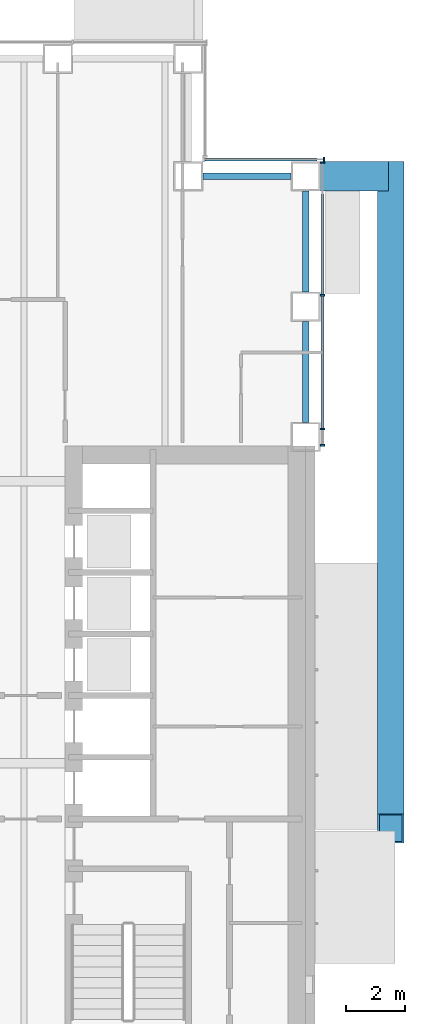
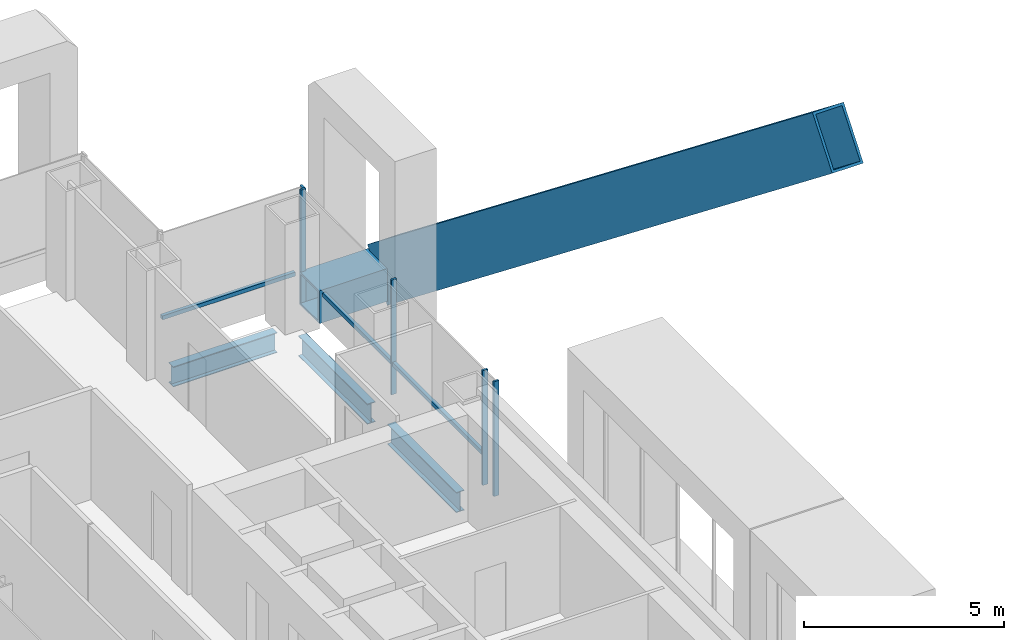
# One storey, part 9 of 26: 9 members, 4 beams, 2 elements without a shape of their own.
"""IFC4 building model written with IfcOpenShell, lengths in metres."""

from ifc_helpers import new_model, si_unit, direction, frame, origin, origin_2d, place, context, subcontext, project, spatial, rectangle, hollow_rectangle, i_section, extrude, material, material_profile, profile_set, type_object, element, aggregate, save


model = new_model("IFC4")

# Units and contexts
model_context = context("Model", 3, precision=1e-05, world=origin(), true_north=direction((0.0, 1.0)))
body_context = subcontext(model_context, "Body", "Model", "MODEL_VIEW")
ifc_project = project(units=[si_unit("LENGTHUNIT", "METRE"), si_unit("AREAUNIT", "SQUARE_METRE"), si_unit("VOLUMEUNIT", "CUBIC_METRE"), si_unit("PLANEANGLEUNIT", "RADIAN"), si_unit("MASSUNIT", "GRAM", prefix="KILO")], contexts=[model_context])

# Site, building, storey
site_placement = place(None, origin())
site = spatial("IfcSite", under=ifc_project, at=site_placement, CompositionType="ELEMENT")
building_placement = place(site_placement, origin())
building = spatial("IfcBuilding", under=site, at=building_placement, Name="Cobrizo Arcos Hotel Tower", CompositionType="ELEMENT")
storey_placement = place(building_placement, frame((0.0, 0.0, 67.0)))
storey = spatial("IfcBuildingStorey", under=building, at=storey_placement, Name="L15", CompositionType="ELEMENT", Elevation=67.0)

# Beam
ifc_material_1 = material(Name="Steel ASTM A572 Grade 50", Category="steel")
ifc_material_profile_1 = material_profile(ifc_material_1, hollow_rectangle(XDim=1.0, YDim=1.0, WallThickness=0.06005859375, at=origin_2d()), Name="BOX 1000X1000X60")
ifc_profile_set_1 = profile_set([ifc_material_profile_1], Name="Steel ASTM A572 Grade 50")
beam_type_1 = type_object("IfcBeamType", Name="BOX 1000X1000X60 brace connector strut", PredefinedType="BEAM", material=ifc_profile_set_1)
beam_1_placement = place(storey_placement, frame((24.489990234375, 20.0, 0.5), z_axis=(1.0, 0.0, 0.0), x_axis=(0.0, 1.0, 0.0)))
element("IfcBeam", 1, at=beam_1_placement, inside=storey, type_object=beam_type_1, Name="Perimeter brace stub BS1, zone Z1, east face, offset +20.00 m, L15", PredefinedType="BEAM", context=body_context, shape_type="SweptSolid", body=[
    extrude(hollow_rectangle(XDim=1.0, YDim=1.0, WallThickness=0.06005859375, at=origin_2d()), origin(), (0.0, 0.0, 1.0), 2.330078125),
])

# Member
ifc_material_profile_2 = material_profile(ifc_material_1, hollow_rectangle(XDim=0.89990234375, YDim=1.60009765625, WallThickness=0.070068359375, at=origin_2d()), Name="BOX 900X1600X70")
ifc_profile_set_2 = profile_set([ifc_material_profile_2], Name="Steel ASTM A572 Grade 50")
member_type_1 = type_object("IfcMemberType", Name="BOX 900X1600X70 perimeter brace", PredefinedType="BRACE", material=ifc_profile_set_2)
member_1_placement = place(storey_placement, frame((26.89990234375, 20.0, 0.5), z_axis=(0.0, -0.785635580491, 0.618689530109), x_axis=(1.0, 0.0, 0.0)))
element("IfcMember", 2, at=member_1_placement, inside=storey, type_object=member_type_1, Name="Perimeter brace PBR1, zone Z1, east face, no. 04", PredefinedType="BRACE", context=body_context, shape_type="SweptSolid", body=[
    extrude(hollow_rectangle(XDim=0.89990234375, YDim=1.60009765625, WallThickness=0.070068359375, at=origin_2d()), origin(), (0.0, 0.0, 1.0), 28.28564453125),
])

# Curtain wall, members
ifc_material_2 = material(Name="Aluminium 6063-T6 anodised bronze", Category="aluminium")
curtain_wall_type = type_object("IfcCurtainWallType", Name="CW-A guest facade", PredefinedType="NOTDEFINED", material=ifc_material_2)
curtain_wall_1_placement = place(storey_placement, origin())
curtain_wall_1 = element("IfcCurtainWall", 3, at=curtain_wall_1_placement, inside=storey, type_object=curtain_wall_type, Name="CW-A L15 E face", PredefinedType="NOTDEFINED")
ifc_material_profile_3 = material_profile(ifc_material_2, rectangle(XDim=0.14990234375, YDim=0.06005859375, at=origin_2d()), Name="CW-A mullion 150x60")
ifc_profile_set_3 = profile_set([ifc_material_profile_3], Name="Aluminium 6063-T6 anodised bronze")
member_type_2 = type_object("IfcMemberType", Name="CW-A mullion 150x60", PredefinedType="MULLION", material=ifc_profile_set_3)
member_2_placement = place(storey_placement, frame((24.574951171875, 10.830078125, 0.0), z_axis=(0.0, 0.0, 1.0), x_axis=(1.0, 0.0, 0.0)))
member_2 = element("IfcMember", 4, at=member_2_placement, type_object=member_type_2, Name="CW-A mullion 1", PredefinedType="MULLION", context=body_context, shape_type="SweptSolid", body=[
    extrude(rectangle(XDim=0.14990234375, YDim=0.06005859375, at=origin_2d()), origin(), (0.0, 0.0, 1.0), 3.5),
])
member_3_placement = place(storey_placement, frame((24.574951171875, 11.388916015625, 0.0), z_axis=(0.0, 0.0, 1.0), x_axis=(1.0, 0.0, 0.0)))
member_3 = element("IfcMember", 5, at=member_3_placement, type_object=member_type_2, Name="CW-A mullion 2", PredefinedType="MULLION", context=body_context, shape_type="SweptSolid", body=[
    extrude(rectangle(XDim=0.14990234375, YDim=0.06005859375, at=origin_2d()), origin(), (0.0, 0.0, 1.0), 3.5),
])
member_4_placement = place(storey_placement, frame((24.574951171875, 15.9443359375, 0.0), z_axis=(0.0, 0.0, 1.0), x_axis=(1.0, 0.0, 0.0)))
member_4 = element("IfcMember", 6, at=member_4_placement, type_object=member_type_2, Name="CW-A mullion 3", PredefinedType="MULLION", context=body_context, shape_type="SweptSolid", body=[
    extrude(rectangle(XDim=0.14990234375, YDim=0.06005859375, at=origin_2d()), origin(), (0.0, 0.0, 1.0), 3.5),
])
member_5_placement = place(storey_placement, frame((24.574951171875, 20.469970703125, 0.0), z_axis=(0.0, 0.0, 1.0), x_axis=(1.0, 0.0, 0.0)))
member_5 = element("IfcMember", 7, at=member_5_placement, type_object=member_type_2, Name="CW-A mullion 4", PredefinedType="MULLION", context=body_context, shape_type="SweptSolid", body=[
    extrude(rectangle(XDim=0.14990234375, YDim=0.06005859375, at=origin_2d()), origin(), (0.0, 0.0, 1.0), 3.5),
])

# Curtain wall, member
curtain_wall_2_placement = place(storey_placement, origin())
curtain_wall_2 = element("IfcCurtainWall", 8, at=curtain_wall_2_placement, inside=storey, type_object=curtain_wall_type, Name="CW-A L15 N face", PredefinedType="NOTDEFINED")
member_6_placement = place(storey_placement, frame((24.6201171875, 20.574951171875, 0.0), z_axis=(0.0, 0.0, 1.0), x_axis=(0.0, 1.0, 0.0)))
member_6 = element("IfcMember", 9, at=member_6_placement, type_object=member_type_2, Name="CW-A mullion 1", PredefinedType="MULLION", context=body_context, shape_type="SweptSolid", body=[
    extrude(rectangle(XDim=0.14990234375, YDim=0.06005859375, at=origin_2d()), origin(), (0.0, 0.0, 1.0), 3.5),
])

# Member
ifc_material_profile_4 = material_profile(ifc_material_2, rectangle(XDim=0.10009765625, YDim=0.1201171875, at=origin_2d()), Name="CW-A transom 120x100")
ifc_profile_set_4 = profile_set([ifc_material_profile_4], Name="Aluminium 6063-T6 anodised bronze")
member_type_3 = type_object("IfcMemberType", Name="CW-A transom 120x100", PredefinedType="USERDEFINED", material=ifc_profile_set_4)
member_7_placement = place(storey_placement, frame((24.574951171875, 11.4189453125, 0.929931640625), z_axis=(0.0, 1.0, 0.0), x_axis=(-1.0, 0.0, 0.0)))
member_7 = element("IfcMember", 10, at=member_7_placement, type_object=member_type_3, Name="CW-A transom 665", ObjectType="TRANSOM", PredefinedType="USERDEFINED", context=body_context, shape_type="SweptSolid", body=[
    extrude(rectangle(XDim=0.10009765625, YDim=0.1201171875, at=origin_2d()), origin(), (0.0, 0.0, 1.0), 4.49560546875),
])

member_8_placement = place(storey_placement, frame((24.574951171875, 15.974365234375, 0.929931640625), z_axis=(0.0, 1.0, 0.0), x_axis=(-1.0, 0.0, 0.0)))
member_8 = element("IfcMember", 11, at=member_8_placement, type_object=member_type_3, Name="CW-A transom 666", ObjectType="TRANSOM", PredefinedType="USERDEFINED", context=body_context, shape_type="SweptSolid", body=[
    extrude(rectangle(XDim=0.10009765625, YDim=0.1201171875, at=origin_2d()), origin(), (0.0, 0.0, 1.0), 3.425537109375),
])

aggregate(curtain_wall_1, [member_2, member_3, member_4, member_5, member_7, member_8])

member_9_placement = place(storey_placement, frame((24.389892578125, 20.574951171875, 0.929931640625), z_axis=(-1.0, 0.0, 0.0), x_axis=(0.0, -1.0, 0.0)))
member_9 = element("IfcMember", 12, at=member_9_placement, type_object=member_type_3, Name="CW-A transom 667", ObjectType="TRANSOM", PredefinedType="USERDEFINED", context=body_context, shape_type="SweptSolid", body=[
    extrude(rectangle(XDim=0.10009765625, YDim=0.1201171875, at=origin_2d()), origin(), (0.0, 0.0, 1.0), 3.829833984375),
])

aggregate(curtain_wall_2, [member_6, member_9])

# Beams
ifc_material_3 = material(Name="Steel ASTM A992 Grade 50", Category="steel")
ifc_material_profile_5 = material_profile(ifc_material_3, i_section(OverallWidth=0.23046875, OverallDepth=0.6171875, WebThickness=0.01318359375, FlangeThickness=0.022216796875, at=origin_2d()), Name="W24X94")
ifc_profile_set_5 = profile_set([ifc_material_profile_5], Name="Steel ASTM A992 Grade 50")
beam_type_2 = type_object("IfcBeamType", Name="W24X94 spandrel", PredefinedType="SPANDREL", material=ifc_profile_set_5)
beam_2_placement = place(storey_placement, frame((20.5, 20.0, -0.45849609375), z_axis=(1.0, 0.0, 0.0), x_axis=(0.0, 1.0, 0.0)))
element("IfcBeam", 13, at=beam_2_placement, inside=storey, type_object=beam_type_2, Name="Spandrel beam W24X94, L15, no. 001", PredefinedType="SPANDREL", context=body_context, shape_type="SweptSolid", body=[
    extrude(i_section(OverallWidth=0.23046875, OverallDepth=0.6171875, WebThickness=0.01318359375, FlangeThickness=0.022216796875, at=origin_2d()), origin(), (0.0, 0.0, 1.0), 3.0),
])
beam_3_placement = place(storey_placement, frame((24.0, 19.5, -0.45849609375), z_axis=(0.0, -1.0, 0.0), x_axis=(1.0, 0.0, 0.0)))
element("IfcBeam", 14, at=beam_3_placement, inside=storey, type_object=beam_type_2, Name="Spandrel beam W24X94, L15, no. 002", PredefinedType="SPANDREL", context=body_context, shape_type="SweptSolid", body=[
    extrude(i_section(OverallWidth=0.23046875, OverallDepth=0.6171875, WebThickness=0.01318359375, FlangeThickness=0.022216796875, at=origin_2d()), origin(), (0.0, 0.0, 1.0), 3.444091796875),
])
beam_4_placement = place(storey_placement, frame((24.0, 15.055908203125, -0.45849609375), z_axis=(0.0, -1.0, 0.0), x_axis=(1.0, 0.0, 0.0)))
element("IfcBeam", 15, at=beam_4_placement, inside=storey, type_object=beam_type_2, Name="Spandrel beam W24X94, L15, no. 003", PredefinedType="SPANDREL", context=body_context, shape_type="SweptSolid", body=[
    extrude(i_section(OverallWidth=0.23046875, OverallDepth=0.6171875, WebThickness=0.01318359375, FlangeThickness=0.022216796875, at=origin_2d()), origin(), (0.0, 0.0, 1.0), 3.44482421875),
])

save(model, "model.ifc")
